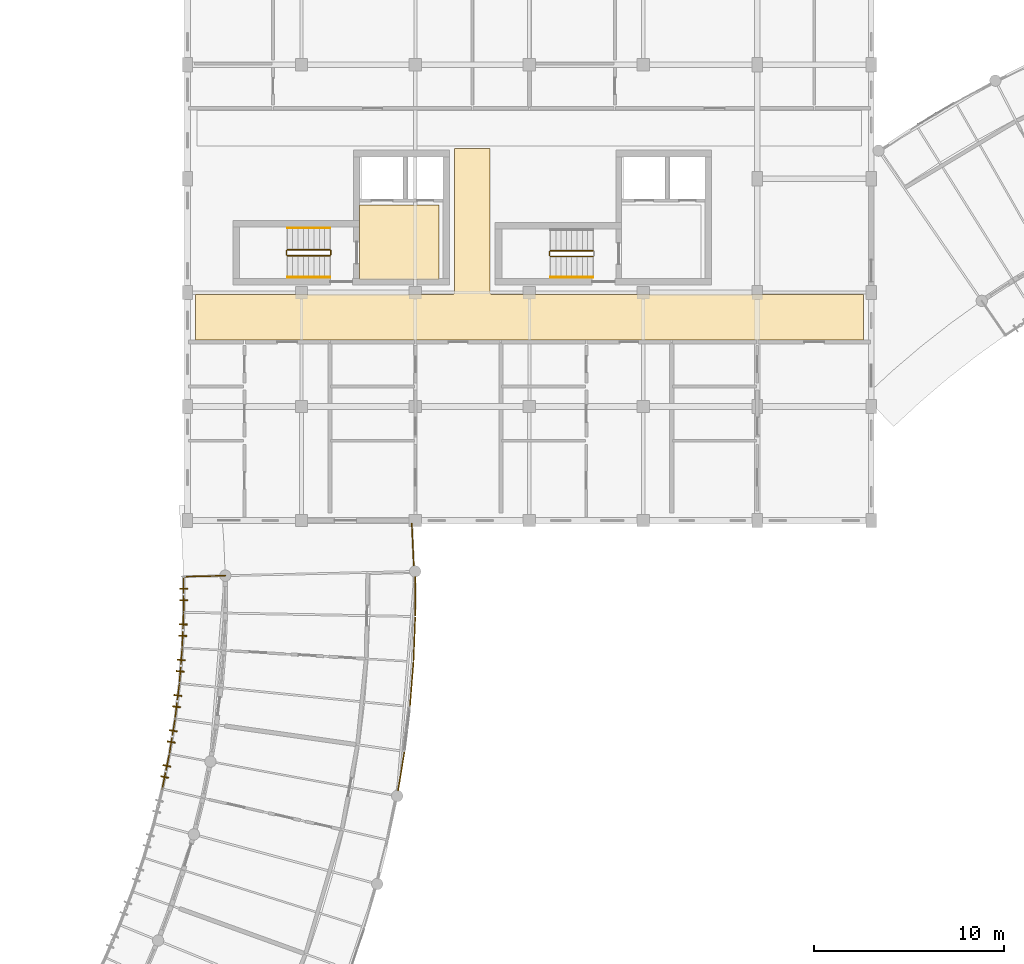
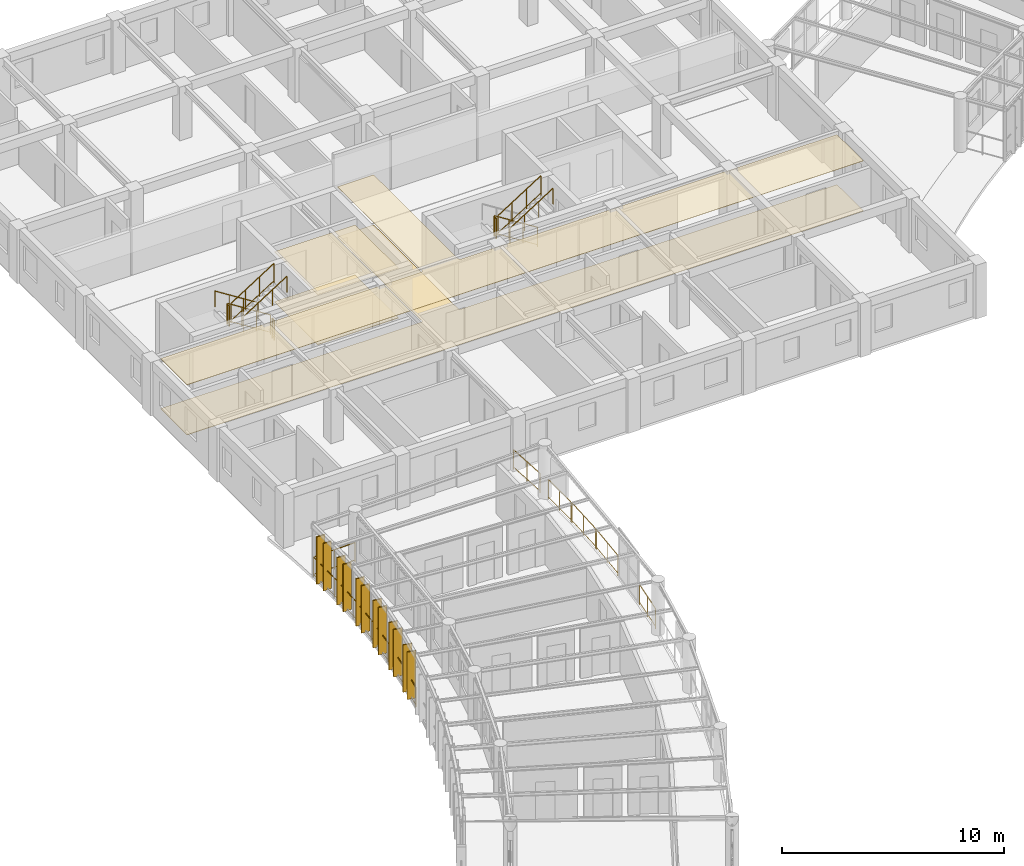
# One storey, part 94 of 100: 22 railings, 12 shading devices, 4 coverings.
"""IFC4 building model written with IfcOpenShell, lengths in metres."""

from ifc_helpers import new_model, si_unit, direction, frame, origin, origin_2d, place, context, subcontext, project, spatial, polyline, rectangle, circle, outline, extrude, material, layer, layer_set, type_object, element, save


model = new_model("IFC4")

# Units and contexts
model_context = context("Model", 3, precision=1e-05, world=origin(), true_north=direction((0.0, 1.0)))
body_context = subcontext(model_context, "Body", "Model", "MODEL_VIEW")
ifc_project = project(units=[si_unit("LENGTHUNIT", "METRE"), si_unit("AREAUNIT", "SQUARE_METRE"), si_unit("VOLUMEUNIT", "CUBIC_METRE"), si_unit("PLANEANGLEUNIT", "RADIAN"), si_unit("MASSUNIT", "GRAM", prefix="KILO"), si_unit("POWERUNIT", "WATT"), si_unit("THERMODYNAMICTEMPERATUREUNIT", "KELVIN")], contexts=[model_context])

# Site, building, storey
site_placement = place(None, origin())
site = spatial("IfcSite", under=ifc_project, at=site_placement, CompositionType="ELEMENT")
building_placement = place(site_placement, origin())
building = spatial("IfcBuilding", under=site, at=building_placement, Name="Ruvembo Vaulted Housing Court", CompositionType="ELEMENT")
storey_placement = place(building_placement, frame((0.0, 0.0, 14.10009765625)))
storey = spatial("IfcBuildingStorey", under=building, at=storey_placement, Name="L04", CompositionType="ELEMENT", Elevation=14.10009765625)

# Coverings
ifc_material_1 = material(Name="Perforated Mineral-Fibre Acoustic Tile", Category="gypsum")
ifc_layer_1 = layer(ifc_material_1, 0.02001953125, Name="Perforated Mineral-Fibre Acoustic Tile")
ifc_layer_set_1 = layer_set([ifc_layer_1], Name="Perforated Mineral-Fibre Acoustic Tile")
covering_type_1 = type_object("IfcCoveringType", Name="COV-CEIL-ACOUST", PredefinedType="CEILING", material=ifc_layer_set_1)
covering_1_placement = place(storey_placement, frame((0.0, 0.0, 2.75)))
element("IfcCovering", 1, at=covering_1_placement, inside=storey, type_object=covering_type_1, Name="Protected Core Lobby B1 Ceiling", PredefinedType="CEILING", context=body_context, shape_type="SweptSolid", body=[
    extrude(outline(polyline([(61.25, 94.60009765625), (57.050048828125, 94.60009765625), (57.050048828125, 90.699951171875), (61.25, 90.699951171875), (61.25, 94.60009765625)])), origin(), (0.0, 0.0, 1.0), 0.02001953125),
])
covering_2_placement = place(storey_placement, frame((0.0, 0.0, 2.75)))
element("IfcCovering", 2, at=covering_2_placement, inside=storey, type_object=covering_type_1, Name="Block B L04 Corridor Ceiling", PredefinedType="CEILING", context=body_context, shape_type="SweptSolid", body=[
    extrude(outline(polyline([(83.590087890625, 87.510009765625), (83.590087890625, 89.889892578125), (64.050048828125, 89.889892578125), (64.039306640625, 89.890380859375), (64.028564453125, 89.89208984375), (64.01806640625, 89.894775390625), (64.0078125, 89.8984375), (63.998046875, 89.903076171875), (63.989013671875, 89.908447265625), (63.980224609375, 89.9150390625), (63.97216796875, 89.922119140625), (63.965087890625, 89.93017578125), (63.95849609375, 89.93896484375), (63.952880859375, 89.947998046875), (63.948486328125, 89.9580078125), (63.944580078125, 89.968017578125), (63.942138671875, 89.978515625), (63.9404296875, 89.9892578125), (63.93994140625, 90.0), (63.93994140625, 97.590087890625), (62.06005859375, 97.590087890625), (62.06005859375, 90.0), (62.0595703125, 89.9892578125), (62.057861328125, 89.978515625), (62.055419921875, 89.968017578125), (62.051513671875, 89.9580078125), (62.047119140625, 89.947998046875), (62.04150390625, 89.93896484375), (62.034912109375, 89.93017578125), (62.02783203125, 89.922119140625), (62.019775390625, 89.9150390625), (62.010986328125, 89.908447265625), (62.001953125, 89.903076171875), (61.9921875, 89.8984375), (61.98193359375, 89.894775390625), (61.971435546875, 89.89208984375), (61.960693359375, 89.890380859375), (61.949951171875, 89.889892578125), (48.409912109375, 89.889892578125), (48.409912109375, 87.510009765625), (83.590087890625, 87.510009765625)])), origin(), (0.0, 0.0, 1.0), 0.02001953125),
])
ifc_material_2 = material(Name="Polished Cement-Aggregate Terrazzo", Category="stone")
ifc_layer_2 = layer(ifc_material_2, 0.02197265625, Name="Polished Cement-Aggregate Terrazzo")
ifc_layer_set_2 = layer_set([ifc_layer_2], Name="Polished Cement-Aggregate Terrazzo")
covering_type_2 = type_object("IfcCoveringType", Name="COV-FLR-CERAMIC", PredefinedType="FLOORING", material=ifc_layer_set_2)
covering_3_placement = place(storey_placement, origin())
element("IfcCovering", 3, at=covering_3_placement, inside=storey, type_object=covering_type_2, Name="Protected Core Lobby B1 Flooring", PredefinedType="FLOORING", context=body_context, shape_type="SweptSolid", body=[
    extrude(outline(polyline([(61.25, 94.60009765625), (57.050048828125, 94.60009765625), (57.050048828125, 90.699951171875), (61.25, 90.699951171875), (61.25, 94.60009765625)])), origin(), (0.0, 0.0, 1.0), 0.02197265625),
])
covering_4_placement = place(storey_placement, origin())
element("IfcCovering", 4, at=covering_4_placement, inside=storey, type_object=covering_type_2, Name="Block B L04 Corridor Flooring", PredefinedType="FLOORING", context=body_context, shape_type="SweptSolid", body=[
    extrude(outline(polyline([(83.590087890625, 87.510009765625), (83.590087890625, 89.889892578125), (64.050048828125, 89.889892578125), (64.039306640625, 89.890380859375), (64.028564453125, 89.89208984375), (64.01806640625, 89.894775390625), (64.0078125, 89.8984375), (63.998046875, 89.903076171875), (63.989013671875, 89.908447265625), (63.980224609375, 89.9150390625), (63.97216796875, 89.922119140625), (63.965087890625, 89.93017578125), (63.95849609375, 89.93896484375), (63.952880859375, 89.947998046875), (63.948486328125, 89.9580078125), (63.944580078125, 89.968017578125), (63.942138671875, 89.978515625), (63.9404296875, 89.9892578125), (63.93994140625, 90.0), (63.93994140625, 97.590087890625), (62.06005859375, 97.590087890625), (62.06005859375, 90.0), (62.0595703125, 89.9892578125), (62.057861328125, 89.978515625), (62.055419921875, 89.968017578125), (62.051513671875, 89.9580078125), (62.047119140625, 89.947998046875), (62.04150390625, 89.93896484375), (62.034912109375, 89.93017578125), (62.02783203125, 89.922119140625), (62.019775390625, 89.9150390625), (62.010986328125, 89.908447265625), (62.001953125, 89.903076171875), (61.9921875, 89.8984375), (61.98193359375, 89.894775390625), (61.971435546875, 89.89208984375), (61.960693359375, 89.890380859375), (61.949951171875, 89.889892578125), (48.409912109375, 89.889892578125), (48.409912109375, 87.510009765625), (83.590087890625, 87.510009765625)])), origin(), (0.0, 0.0, 1.0), 0.02197265625),
])

# Railings
ifc_material_3 = material(Name="Galvanised Painted Steel and Laminated Glass", Category="steel")
ifc_layer_3 = layer(ifc_material_3, 0.070068359375, Name="Galvanised Painted Steel and Laminated Glass")
ifc_layer_set_3 = layer_set([ifc_layer_3], Name="Galvanised Painted Steel and Laminated Glass")
railing_type_1 = type_object("IfcRailingType", Name="RL-BALUST-1120", PredefinedType="BALUSTRADE", material=ifc_layer_set_3)
railing_1_placement = place(storey_placement, frame((59.089111328125, 63.79150390625, 0.0)))
element("IfcRailing", 5, at=railing_1_placement, inside=storey, type_object=railing_type_1, Name="L04 Perimeter Guard RL-EXT-L04-0156", PredefinedType="BALUSTRADE", context=body_context, shape_type="SweptSolid", body=[
    extrude(circle(Radius=0.02392578125, at=origin_2d()), frame((0.0, 0.0, 1.09619140625), z_axis=(0.160959462917, 0.986961018125, 0.0), x_axis=(-0.986961018125, 0.160959462917, 0.0)), (0.0, 0.0, 1.0), 2.0263671875),
    extrude(circle(Radius=0.01806640625, at=origin_2d()), frame((0.0, 0.0, 0.1201171875), z_axis=(0.160959462917, 0.986961018125, 0.0), x_axis=(-0.986961018125, 0.160959462917, 0.0)), (0.0, 0.0, 1.0), 2.0263671875),
    extrude(circle(Radius=0.02099609375, at=origin_2d()), origin(), (0.0, 0.0, 1.0), 1.072021484375),
    extrude(circle(Radius=0.02099609375, at=origin_2d()), frame((0.1630859375, 1.0, 0.0)), (0.0, 0.0, 1.0), 1.072021484375),
    extrude(circle(Radius=0.02099609375, at=origin_2d()), frame((0.326171875, 2.0, 0.0)), (0.0, 0.0, 1.0), 1.072021484375),
])
railing_2_placement = place(storey_placement, frame((59.71337890625, 68.249755859375, 0.0)))
element("IfcRailing", 6, at=railing_2_placement, inside=storey, type_object=railing_type_1, Name="L04 Perimeter Guard RL-EXT-L04-0157", PredefinedType="BALUSTRADE", context=body_context, shape_type="SweptSolid", body=[
    extrude(circle(Radius=0.02392578125, at=origin_2d()), frame((0.0, 0.0, 1.09619140625), z_axis=(0.079459662102, 0.996838082187, 0.0), x_axis=(-0.996838082187, 0.079459662102, 0.0)), (0.0, 0.0, 1.0), 2.276611328125),
    extrude(circle(Radius=0.01806640625, at=origin_2d()), frame((0.0, 0.0, 0.1201171875), z_axis=(0.079459662102, 0.996838082187, 0.0), x_axis=(-0.996838082187, 0.079459662102, 0.0)), (0.0, 0.0, 1.0), 2.276611328125),
    extrude(circle(Radius=0.02099609375, at=origin_2d()), origin(), (0.0, 0.0, 1.0), 1.072021484375),
    extrude(circle(Radius=0.02099609375, at=origin_2d()), frame((0.09033203125, 1.134765625, 0.0)), (0.0, 0.0, 1.0), 1.072021484375),
    extrude(circle(Radius=0.02099609375, at=origin_2d()), frame((0.180908203125, 2.26953125, 0.0)), (0.0, 0.0, 1.0), 1.072021484375),
])
railing_3_placement = place(storey_placement, frame((59.900390625, 70.618896484375, 0.0)))
element("IfcRailing", 7, at=railing_3_placement, inside=storey, type_object=railing_type_1, Name="L04 Perimeter Guard RL-EXT-L04-0158", PredefinedType="BALUSTRADE", context=body_context, shape_type="SweptSolid", body=[
    extrude(circle(Radius=0.02392578125, at=origin_2d()), frame((0.0, 0.0, 1.09619140625), z_axis=(0.038713176798, 0.999250363994, 0.0), x_axis=(-0.999250363994, 0.038713176798, 0.0)), (0.0, 0.0, 1.0), 2.276611328125),
    extrude(circle(Radius=0.01806640625, at=origin_2d()), frame((0.0, 0.0, 0.1201171875), z_axis=(0.038713176798, 0.999250363994, 0.0), x_axis=(-0.999250363994, 0.038713176798, 0.0)), (0.0, 0.0, 1.0), 2.276611328125),
    extrude(circle(Radius=0.02099609375, at=origin_2d()), origin(), (0.0, 0.0, 1.0), 1.072021484375),
    extrude(circle(Radius=0.02099609375, at=origin_2d()), frame((0.0439453125, 1.137451171875, 0.0)), (0.0, 0.0, 1.0), 1.072021484375),
    extrude(circle(Radius=0.02099609375, at=origin_2d()), frame((0.088134765625, 2.27490234375, 0.0)), (0.0, 0.0, 1.0), 1.072021484375),
])
railing_4_placement = place(storey_placement, frame((59.990234375, 72.993896484375, 0.0)))
element("IfcRailing", 8, at=railing_4_placement, inside=storey, type_object=railing_type_1, Name="L04 Perimeter Guard RL-EXT-L04-0159", PredefinedType="BALUSTRADE", context=body_context, shape_type="SweptSolid", body=[
    extrude(circle(Radius=0.02392578125, at=origin_2d()), frame((0.0, 0.0, 1.09619140625), z_axis=(-0.002289150629, 0.999997379891, 0.0), x_axis=(-0.999997379891, -0.002289150629, 0.0)), (0.0, 0.0, 1.0), 2.0263671875),
    extrude(circle(Radius=0.01806640625, at=origin_2d()), frame((0.0, 0.0, 0.1201171875), z_axis=(-0.002289150629, 0.999997379891, 0.0), x_axis=(-0.999997379891, -0.002289150629, 0.0)), (0.0, 0.0, 1.0), 2.0263671875),
    extrude(circle(Radius=0.02099609375, at=origin_2d()), origin(), (0.0, 0.0, 1.0), 1.072021484375),
    extrude(circle(Radius=0.02099609375, at=origin_2d()), frame((-0.00244140625, 1.01318359375, 0.0)), (0.0, 0.0, 1.0), 1.072021484375),
    extrude(circle(Radius=0.02099609375, at=origin_2d()), frame((-0.004638671875, 2.0263671875, 0.0)), (0.0, 0.0, 1.0), 1.072021484375),
])
ifc_material_4 = material(Name="Galvanised Painted Steel S275", Category="steel")
ifc_layer_4 = layer(ifc_material_4, 0.06005859375, Name="Galvanised Painted Steel S275")
ifc_layer_set_4 = layer_set([ifc_layer_4], Name="Galvanised Painted Steel S275")
railing_type_2 = type_object("IfcRailingType", Name="RL-GUARD-1100", PredefinedType="GUARDRAIL", material=ifc_layer_set_4)
railing_5_placement = place(storey_placement, frame((46.664794921875, 63.86669921875, 0.0)))
element("IfcRailing", 9, at=railing_5_placement, inside=storey, type_object=railing_type_2, Name="L04 Perimeter Guard RL-EXT-L04-0138", PredefinedType="GUARDRAIL", context=body_context, shape_type="SweptSolid", body=[
    extrude(circle(Radius=0.02392578125, at=origin_2d()), frame((0.0, 0.0, 1.076171875), z_axis=(0.20126745828, 0.979536324103, 0.0), x_axis=(-0.979536324103, 0.20126745828, 0.0)), (0.0, 0.0, 1.0), 1.87646484375),
    extrude(circle(Radius=0.01806640625, at=origin_2d()), frame((0.0, 0.0, 0.1201171875), z_axis=(0.20126745828, 0.979536324103, 0.0), x_axis=(-0.979536324103, 0.20126745828, 0.0)), (0.0, 0.0, 1.0), 1.87646484375),
    extrude(circle(Radius=0.02099609375, at=origin_2d()), origin(), (0.0, 0.0, 1.0), 1.052001953125),
    extrude(circle(Radius=0.02099609375, at=origin_2d()), frame((0.18896484375, 0.9189453125, 0.0)), (0.0, 0.0, 1.0), 1.052001953125),
    extrude(circle(Radius=0.02099609375, at=origin_2d()), frame((0.377685546875, 1.838134765625, 0.0)), (0.0, 0.0, 1.0), 1.052001953125),
])
railing_6_placement = place(storey_placement, frame((47.04248046875, 65.704833984375, 0.0)))
element("IfcRailing", 10, at=railing_6_placement, inside=storey, type_object=railing_type_2, Name="L04 Perimeter Guard RL-EXT-L04-0139", PredefinedType="GUARDRAIL", context=body_context, shape_type="SweptSolid", body=[
    extrude(circle(Radius=0.02392578125, at=origin_2d()), frame((0.0, 0.0, 1.076171875), z_axis=(0.16093792822, 0.98696452989, 0.0), x_axis=(-0.98696452989, 0.16093792822, 0.0)), (0.0, 0.0, 1.0), 1.87646484375),
    extrude(circle(Radius=0.01806640625, at=origin_2d()), frame((0.0, 0.0, 0.1201171875), z_axis=(0.16093792822, 0.98696452989, 0.0), x_axis=(-0.98696452989, 0.16093792822, 0.0)), (0.0, 0.0, 1.0), 1.87646484375),
    extrude(circle(Radius=0.02099609375, at=origin_2d()), origin(), (0.0, 0.0, 1.0), 1.052001953125),
    extrude(circle(Radius=0.02099609375, at=origin_2d()), frame((0.15087890625, 0.926025390625, 0.0)), (0.0, 0.0, 1.0), 1.052001953125),
    extrude(circle(Radius=0.02099609375, at=origin_2d()), frame((0.302001953125, 1.85205078125, 0.0)), (0.0, 0.0, 1.0), 1.052001953125),
])
railing_7_placement = place(storey_placement, frame((47.344482421875, 67.556884765625, 0.0)))
element("IfcRailing", 11, at=railing_7_placement, inside=storey, type_object=railing_type_2, Name="L04 Perimeter Guard RL-EXT-L04-0140", PredefinedType="GUARDRAIL", context=body_context, shape_type="SweptSolid", body=[
    extrude(circle(Radius=0.02392578125, at=origin_2d()), frame((0.0, 0.0, 1.076171875), z_axis=(0.120335252624, 0.992733311104, 0.0), x_axis=(-0.992733311104, 0.120335252624, 0.0)), (0.0, 0.0, 1.0), 1.876708984375),
    extrude(circle(Radius=0.01806640625, at=origin_2d()), frame((0.0, 0.0, 0.1201171875), z_axis=(0.120335252624, 0.992733311104, 0.0), x_axis=(-0.992733311104, 0.120335252624, 0.0)), (0.0, 0.0, 1.0), 1.876708984375),
    extrude(circle(Radius=0.02099609375, at=origin_2d()), origin(), (0.0, 0.0, 1.0), 1.052001953125),
    extrude(circle(Radius=0.02099609375, at=origin_2d()), frame((0.11279296875, 0.931640625, 0.0)), (0.0, 0.0, 1.0), 1.052001953125),
    extrude(circle(Radius=0.02099609375, at=origin_2d()), frame((0.225830078125, 1.863037109375, 0.0)), (0.0, 0.0, 1.0), 1.052001953125),
])
railing_8_placement = place(storey_placement, frame((47.5703125, 69.419921875, 0.0)))
element("IfcRailing", 12, at=railing_8_placement, inside=storey, type_object=railing_type_2, Name="L04 Perimeter Guard RL-EXT-L04-0141", PredefinedType="GUARDRAIL", context=body_context, shape_type="SweptSolid", body=[
    extrude(circle(Radius=0.02392578125, at=origin_2d()), frame((0.0, 0.0, 1.076171875), z_axis=(0.079610795565, 0.996826023552, 0.0), x_axis=(-0.996826023552, 0.079610795565, 0.0)), (0.0, 0.0, 1.0), 1.876708984375),
    extrude(circle(Radius=0.01806640625, at=origin_2d()), frame((0.0, 0.0, 0.1201171875), z_axis=(0.079610795565, 0.996826023552, 0.0), x_axis=(-0.996826023552, 0.079610795565, 0.0)), (0.0, 0.0, 1.0), 1.876708984375),
    extrude(circle(Radius=0.02099609375, at=origin_2d()), origin(), (0.0, 0.0, 1.0), 1.052001953125),
    extrude(circle(Radius=0.02099609375, at=origin_2d()), frame((0.07470703125, 0.935546875, 0.0)), (0.0, 0.0, 1.0), 1.052001953125),
    extrude(circle(Radius=0.02099609375, at=origin_2d()), frame((0.1494140625, 1.870849609375, 0.0)), (0.0, 0.0, 1.0), 1.052001953125),
])
railing_9_placement = place(storey_placement, frame((47.7197265625, 71.290771484375, 0.0)))
element("IfcRailing", 13, at=railing_9_placement, inside=storey, type_object=railing_type_2, Name="L04 Perimeter Guard RL-EXT-L04-0142", PredefinedType="GUARDRAIL", context=body_context, shape_type="SweptSolid", body=[
    extrude(circle(Radius=0.02392578125, at=origin_2d()), frame((0.0, 0.0, 1.076171875), z_axis=(0.038767865725, 0.999248243725, 0.0), x_axis=(-0.999248243725, 0.038767865725, 0.0)), (0.0, 0.0, 1.0), 1.876708984375),
    extrude(circle(Radius=0.01806640625, at=origin_2d()), frame((0.0, 0.0, 0.1201171875), z_axis=(0.038767865725, 0.999248243725, 0.0), x_axis=(-0.999248243725, 0.038767865725, 0.0)), (0.0, 0.0, 1.0), 1.876708984375),
    extrude(circle(Radius=0.02099609375, at=origin_2d()), origin(), (0.0, 0.0, 1.0), 1.052001953125),
    extrude(circle(Radius=0.02099609375, at=origin_2d()), frame((0.036376953125, 0.9375, 0.0)), (0.0, 0.0, 1.0), 1.052001953125),
    extrude(circle(Radius=0.02099609375, at=origin_2d()), frame((0.07275390625, 1.875244140625, 0.0)), (0.0, 0.0, 1.0), 1.052001953125),
])
railing_10_placement = place(storey_placement, frame((47.79248046875, 73.166015625, 0.0)))
element("IfcRailing", 14, at=railing_10_placement, inside=storey, type_object=railing_type_2, Name="L04 Perimeter Guard RL-EXT-L04-0143", PredefinedType="GUARDRAIL", context=body_context, shape_type="SweptSolid", body=[
    extrude(circle(Radius=0.02392578125, at=origin_2d()), frame((0.0, 0.0, 1.076171875), z_axis=(-0.002341913952, 0.999997257716, 0.0), x_axis=(-0.999997257716, -0.002341913952, 0.0)), (0.0, 0.0, 1.0), 1.87646484375),
    extrude(circle(Radius=0.01806640625, at=origin_2d()), frame((0.0, 0.0, 0.1201171875), z_axis=(-0.002341913952, 0.999997257716, 0.0), x_axis=(-0.999997257716, -0.002341913952, 0.0)), (0.0, 0.0, 1.0), 1.87646484375),
    extrude(circle(Radius=0.02099609375, at=origin_2d()), origin(), (0.0, 0.0, 1.0), 1.052001953125),
    extrude(circle(Radius=0.02099609375, at=origin_2d()), frame((-0.002197265625, 0.938232421875, 0.0)), (0.0, 0.0, 1.0), 1.052001953125),
    extrude(circle(Radius=0.02099609375, at=origin_2d()), frame((-0.00439453125, 1.87646484375, 0.0)), (0.0, 0.0, 1.0), 1.052001953125),
])
railing_11_placement = place(storey_placement, frame((47.7880859375, 75.04248046875, 0.0)))
element("IfcRailing", 15, at=railing_11_placement, inside=storey, type_object=railing_type_2, Name="L04 Perimeter Guard RL-EXT-L04-0144", PredefinedType="GUARDRAIL", context=body_context, shape_type="SweptSolid", body=[
    extrude(circle(Radius=0.02392578125, at=origin_2d()), frame((0.0, 0.0, 1.076171875), z_axis=(0.999741204967, 0.022749133868, 0.0), x_axis=(-0.022749133868, 0.999741204967, 0.0)), (0.0, 0.0, 1.0), 2.199951171875),
    extrude(circle(Radius=0.01806640625, at=origin_2d()), frame((0.0, 0.0, 0.1201171875), z_axis=(0.999741204967, 0.022749133868, 0.0), x_axis=(-0.022749133868, 0.999741204967, 0.0)), (0.0, 0.0, 1.0), 2.199951171875),
    extrude(circle(Radius=0.02099609375, at=origin_2d()), origin(), (0.0, 0.0, 1.0), 1.052001953125),
    extrude(circle(Radius=0.02099609375, at=origin_2d()), frame((1.099609375, 0.02490234375, 0.0)), (0.0, 0.0, 1.0), 1.052001953125),
    extrude(circle(Radius=0.02099609375, at=origin_2d()), frame((2.199462890625, 0.050048828125, 0.0)), (0.0, 0.0, 1.0), 1.052001953125),
])
railing_12_placement = place(storey_placement, frame((59.810302734375, 77.83251953125, 0.0)))
element("IfcRailing", 16, at=railing_12_placement, inside=storey, type_object=railing_type_2, Name="L04 Perimeter Guard RL-EXT-L04-0899", PredefinedType="GUARDRAIL", context=body_context, shape_type="SweptSolid", body=[
    extrude(circle(Radius=0.02392578125, at=origin_2d()), frame((0.0, 0.0, 1.076171875), z_axis=(0.045976897872, -0.998942503281, 0.0), x_axis=(0.998942503281, 0.045976897872, 0.0)), (0.0, 0.0, 1.0), 2.198486328125),
    extrude(circle(Radius=0.01806640625, at=origin_2d()), frame((0.0, 0.0, 0.1201171875), z_axis=(0.045976897872, -0.998942503281, 0.0), x_axis=(0.998942503281, 0.045976897872, 0.0)), (0.0, 0.0, 1.0), 2.198486328125),
    extrude(circle(Radius=0.02099609375, at=origin_2d()), origin(), (0.0, 0.0, 1.0), 1.052001953125),
    extrude(circle(Radius=0.02099609375, at=origin_2d()), frame((0.050537109375, -1.09814453125, 0.0)), (0.0, 0.0, 1.0), 1.052001953125),
    extrude(circle(Radius=0.02099609375, at=origin_2d()), frame((0.10107421875, -2.196044921875, 0.0)), (0.0, 0.0, 1.0), 1.052001953125),
])
ifc_material_5 = material(Name="Painted Galvanised Steel S275", Category="steel")
ifc_layer_5 = layer(ifc_material_5, 0.06005859375, Name="Painted Galvanised Steel S275")
ifc_layer_set_5 = layer_set([ifc_layer_5], Name="Painted Galvanised Steel S275")
railing_type_3 = type_object("IfcRailingType", Name="RL-STAIR-GR1100", PredefinedType="GUARDRAIL", material=ifc_layer_set_5)
railing_13_placement = place(storey_placement, frame((55.5, 92.25, 0.177734375)))
element("IfcRailing", 17, at=railing_13_placement, inside=storey, type_object=railing_type_3, Name="L04 ST-B1 stair guard 1", PredefinedType="GUARDRAIL", context=body_context, shape_type="SweptSolid", body=[
    extrude(circle(Radius=0.02392578125, at=origin_2d()), frame((0.0, 0.0, 1.076171875), z_axis=(-0.8442293374, 0.0, 0.53598211339), x_axis=(0.0, -1.0, 0.0)), (0.0, 0.0, 1.0), 2.6533203125),
    extrude(circle(Radius=0.01806640625, at=origin_2d()), frame((0.0, 0.0, 0.1201171875), z_axis=(-0.8442293374, 0.0, 0.53598211339), x_axis=(0.0, -1.0, 0.0)), (0.0, 0.0, 1.0), 2.6533203125),
    extrude(circle(Radius=0.02099609375, at=origin_2d()), origin(), (0.0, 0.0, 1.0), 1.052001953125),
    extrude(circle(Radius=0.02099609375, at=origin_2d()), frame((-0.74658203125, 0.0, 0.47412109375)), (0.0, 0.0, 1.0), 1.052001953125),
    extrude(circle(Radius=0.02099609375, at=origin_2d()), frame((-1.493408203125, 0.0, 0.947998046875)), (0.0, 0.0, 1.0), 1.052001953125),
    extrude(circle(Radius=0.02099609375, at=origin_2d()), frame((-2.239990234375, 0.0, 1.422119140625)), (0.0, 0.0, 1.0), 1.052001953125),
])
railing_14_placement = place(storey_placement, frame((53.2099609375, 92.199951171875, 1.599853515625)))
element("IfcRailing", 18, at=railing_14_placement, inside=storey, type_object=railing_type_3, Name="L04 ST-B1 stair guard 2", PredefinedType="GUARDRAIL", context=body_context, shape_type="SweptSolid", body=[
    extrude(circle(Radius=0.02392578125, at=origin_2d()), frame((0.0, 0.0, 1.076171875), z_axis=(0.0, -1.0, 0.0), x_axis=(1.0, 0.0, 0.0)), (0.0, 0.0, 1.0), 0.199951171875),
    extrude(circle(Radius=0.01806640625, at=origin_2d()), frame((0.0, 0.0, 0.1201171875), z_axis=(0.0, -1.0, 0.0), x_axis=(1.0, 0.0, 0.0)), (0.0, 0.0, 1.0), 0.199951171875),
    extrude(circle(Radius=0.02099609375, at=origin_2d()), origin(), (0.0, 0.0, 1.0), 1.052001953125),
    extrude(circle(Radius=0.02099609375, at=origin_2d()), frame((0.0, -0.199951171875, 0.0)), (0.0, 0.0, 1.0), 1.052001953125),
])
railing_15_placement = place(storey_placement, frame((53.260009765625, 91.949951171875, 1.777587890625)))
element("IfcRailing", 19, at=railing_15_placement, inside=storey, type_object=railing_type_3, Name="L04 ST-B1 stair guard 3", PredefinedType="GUARDRAIL", context=body_context, shape_type="SweptSolid", body=[
    extrude(circle(Radius=0.02392578125, at=origin_2d()), frame((0.0, 0.0, 1.076171875), z_axis=(0.84418770128, 0.0, 0.536047689118), x_axis=(0.0, 1.0, 0.0)), (0.0, 0.0, 1.0), 2.6533203125),
    extrude(circle(Radius=0.01806640625, at=origin_2d()), frame((0.0, 0.0, 0.1201171875), z_axis=(0.84418770128, 0.0, 0.536047689118), x_axis=(0.0, 1.0, 0.0)), (0.0, 0.0, 1.0), 2.6533203125),
    extrude(circle(Radius=0.02099609375, at=origin_2d()), origin(), (0.0, 0.0, 1.0), 1.052001953125),
    extrude(circle(Radius=0.02099609375, at=origin_2d()), frame((0.74658203125, 0.0, 0.47412109375)), (0.0, 0.0, 1.0), 1.052001953125),
    extrude(circle(Radius=0.02099609375, at=origin_2d()), frame((1.493408203125, 0.0, 0.9482421875)), (0.0, 0.0, 1.0), 1.052001953125),
    extrude(circle(Radius=0.02099609375, at=origin_2d()), frame((2.239990234375, 0.0, 1.42236328125)), (0.0, 0.0, 1.0), 1.052001953125),
])
railing_16_placement = place(storey_placement, frame((55.550048828125, 92.199951171875, 0.0)))
element("IfcRailing", 20, at=railing_16_placement, inside=storey, type_object=railing_type_3, Name="L04 ST-B1 stair guard 4", PredefinedType="GUARDRAIL", context=body_context, shape_type="SweptSolid", body=[
    extrude(circle(Radius=0.02392578125, at=origin_2d()), frame((0.0, 0.0, 1.076171875), z_axis=(0.0, -1.0, 0.0), x_axis=(1.0, 0.0, 0.0)), (0.0, 0.0, 1.0), 0.199951171875),
    extrude(circle(Radius=0.01806640625, at=origin_2d()), frame((0.0, 0.0, 0.1201171875), z_axis=(0.0, -1.0, 0.0), x_axis=(1.0, 0.0, 0.0)), (0.0, 0.0, 1.0), 0.199951171875),
    extrude(circle(Radius=0.02099609375, at=origin_2d()), origin(), (0.0, 0.0, 1.0), 1.052001953125),
    extrude(circle(Radius=0.02099609375, at=origin_2d()), frame((0.0, -0.199951171875, 0.0)), (0.0, 0.0, 1.0), 1.052001953125),
])
railing_17_placement = place(storey_placement, frame((69.35009765625, 92.199951171875, 0.177734375)))
element("IfcRailing", 21, at=railing_17_placement, inside=storey, type_object=railing_type_3, Name="L04 ST-B2 stair guard 1", PredefinedType="GUARDRAIL", context=body_context, shape_type="SweptSolid", body=[
    extrude(circle(Radius=0.02392578125, at=origin_2d()), frame((0.0, 0.0, 1.076171875), z_axis=(-0.8442293374, 0.0, 0.53598211339), x_axis=(0.0, -1.0, 0.0)), (0.0, 0.0, 1.0), 2.6533203125),
    extrude(circle(Radius=0.01806640625, at=origin_2d()), frame((0.0, 0.0, 0.1201171875), z_axis=(-0.8442293374, 0.0, 0.53598211339), x_axis=(0.0, -1.0, 0.0)), (0.0, 0.0, 1.0), 2.6533203125),
    extrude(circle(Radius=0.02099609375, at=origin_2d()), origin(), (0.0, 0.0, 1.0), 1.052001953125),
    extrude(circle(Radius=0.02099609375, at=origin_2d()), frame((-0.74658203125, 0.0, 0.47412109375)), (0.0, 0.0, 1.0), 1.052001953125),
    extrude(circle(Radius=0.02099609375, at=origin_2d()), frame((-1.493408203125, 0.0, 0.947998046875)), (0.0, 0.0, 1.0), 1.052001953125),
    extrude(circle(Radius=0.02099609375, at=origin_2d()), frame((-2.239990234375, 0.0, 1.422119140625)), (0.0, 0.0, 1.0), 1.052001953125),
])
railing_18_placement = place(storey_placement, frame((67.06005859375, 92.14990234375, 1.599853515625)))
element("IfcRailing", 22, at=railing_18_placement, inside=storey, type_object=railing_type_3, Name="L04 ST-B2 stair guard 2", PredefinedType="GUARDRAIL", context=body_context, shape_type="SweptSolid", body=[
    extrude(circle(Radius=0.02392578125, at=origin_2d()), frame((0.0, 0.0, 1.076171875), z_axis=(0.0, -1.0, 0.0), x_axis=(1.0, 0.0, 0.0)), (0.0, 0.0, 1.0), 0.199951171875),
    extrude(circle(Radius=0.01806640625, at=origin_2d()), frame((0.0, 0.0, 0.1201171875), z_axis=(0.0, -1.0, 0.0), x_axis=(1.0, 0.0, 0.0)), (0.0, 0.0, 1.0), 0.199951171875),
    extrude(circle(Radius=0.02099609375, at=origin_2d()), origin(), (0.0, 0.0, 1.0), 1.052001953125),
    extrude(circle(Radius=0.02099609375, at=origin_2d()), frame((0.0, -0.199951171875, 0.0)), (0.0, 0.0, 1.0), 1.052001953125),
])
railing_19_placement = place(storey_placement, frame((67.110107421875, 91.89990234375, 1.777587890625)))
element("IfcRailing", 23, at=railing_19_placement, inside=storey, type_object=railing_type_3, Name="L04 ST-B2 stair guard 3", PredefinedType="GUARDRAIL", context=body_context, shape_type="SweptSolid", body=[
    extrude(circle(Radius=0.02392578125, at=origin_2d()), frame((0.0, 0.0, 1.076171875), z_axis=(0.84418770128, 0.0, 0.536047689118), x_axis=(0.0, 1.0, 0.0)), (0.0, 0.0, 1.0), 2.6533203125),
    extrude(circle(Radius=0.01806640625, at=origin_2d()), frame((0.0, 0.0, 0.1201171875), z_axis=(0.84418770128, 0.0, 0.536047689118), x_axis=(0.0, 1.0, 0.0)), (0.0, 0.0, 1.0), 2.6533203125),
    extrude(circle(Radius=0.02099609375, at=origin_2d()), origin(), (0.0, 0.0, 1.0), 1.052001953125),
    extrude(circle(Radius=0.02099609375, at=origin_2d()), frame((0.74658203125, 0.0, 0.47412109375)), (0.0, 0.0, 1.0), 1.052001953125),
    extrude(circle(Radius=0.02099609375, at=origin_2d()), frame((1.493408203125, 0.0, 0.9482421875)), (0.0, 0.0, 1.0), 1.052001953125),
    extrude(circle(Radius=0.02099609375, at=origin_2d()), frame((2.239990234375, 0.0, 1.42236328125)), (0.0, 0.0, 1.0), 1.052001953125),
])
ifc_material_6 = material(Name="Brushed Stainless Steel 304", Category="steel")
ifc_layer_6 = layer(ifc_material_6, 0.050048828125, Name="Brushed Stainless Steel 304")
ifc_layer_set_6 = layer_set([ifc_layer_6], Name="Brushed Stainless Steel 304")
railing_type_4 = type_object("IfcRailingType", Name="RL-STAIR-HR920", PredefinedType="HANDRAIL", material=ifc_layer_set_6)
railing_20_placement = place(storey_placement, frame((55.5, 93.39990234375, 0.359130859375)))
element("IfcRailing", 24, at=railing_20_placement, inside=storey, type_object=railing_type_4, Name="L04 ST-B1 stair handrail 1", PredefinedType="HANDRAIL", context=body_context, shape_type="SweptSolid", body=[
    extrude(circle(Radius=0.02392578125, at=origin_2d()), frame((0.0, 0.0, 0.8759765625), z_axis=(-0.84418770128, 0.0, 0.536047689118), x_axis=(0.0, -1.0, 0.0)), (0.0, 0.0, 1.0), 2.6533203125),
    extrude(circle(Radius=0.02099609375, at=origin_2d()), origin(), (0.0, 0.0, 1.0), 0.851806640625),
    extrude(circle(Radius=0.02099609375, at=origin_2d()), frame((-0.74658203125, 0.0, 0.47412109375)), (0.0, 0.0, 1.0), 0.851806640625),
    extrude(circle(Radius=0.02099609375, at=origin_2d()), frame((-1.493408203125, 0.0, 0.9482421875)), (0.0, 0.0, 1.0), 0.851806640625),
    extrude(circle(Radius=0.02099609375, at=origin_2d()), frame((-2.239990234375, 0.0, 1.42236328125)), (0.0, 0.0, 1.0), 0.851806640625),
])
for number, where, name in (
    (25, (53.260009765625, 90.800048828125, 1.959228515625), "L04 ST-B1 stair handrail 2"),
    (26, (67.110107421875, 90.800048828125, 1.959228515625), "L04 ST-B2 stair handrail 2"),
):
    element("IfcRailing", number, at=place(storey_placement, frame(where)), inside=storey, type_object=railing_type_4, Name=name, PredefinedType="HANDRAIL", context=body_context, shape_type="SweptSolid", body=[
        extrude(circle(Radius=0.02392578125, at=origin_2d()), frame((0.0, 0.0, 0.8759765625), z_axis=(0.8442293374, 0.0, 0.53598211339), x_axis=(0.0, 1.0, 0.0)), (0.0, 0.0, 1.0), 2.6533203125),
        extrude(circle(Radius=0.02099609375, at=origin_2d()), origin(), (0.0, 0.0, 1.0), 0.851806640625),
        extrude(circle(Radius=0.02099609375, at=origin_2d()), frame((0.74658203125, 0.0, 0.47412109375)), (0.0, 0.0, 1.0), 0.851806640625),
        extrude(circle(Radius=0.02099609375, at=origin_2d()), frame((1.493408203125, 0.0, 0.947998046875)), (0.0, 0.0, 1.0), 0.851806640625),
        extrude(circle(Radius=0.02099609375, at=origin_2d()), frame((2.239990234375, 0.0, 1.422119140625)), (0.0, 0.0, 1.0), 0.851806640625),
    ])

# Shading devices
ifc_material_7 = material(Name="Kiln-Fired Terracotta Extrusion", Category="masonry")
shading_device_type = type_object("IfcShadingDeviceType", Name="SHD-FIN-420", PredefinedType="USERDEFINED", material=ifc_material_7)
for number, where, z_axis, x_axis, name in (
    (27, (46.793212890625, 64.491943359375, 0.0498046875), (0.0, 0.0, 1.0), (0.979547164277, -0.201214693692, 0.0), "Terracotta Brise-Soleil Fin #141"),
    (28, (46.9140625, 65.07958984375, 0.0498046875), (0.0, 0.0, 1.0), (0.979547164277, -0.201214693692, 0.0), "Terracotta Brise-Soleil Fin #142"),
    (29, (47.145263671875, 66.3349609375, 0.0498046875), (0.0, 0.0, 1.0), (0.986957060278, -0.160983729511, 0.0), "Terracotta Brise-Soleil Fin #143"),
    (30, (47.24169921875, 66.927001953125, 0.0498046875), (0.0, 0.0, 1.0), (0.986957060278, -0.160983729511, 0.0), "Terracotta Brise-Soleil Fin #144"),
    (31, (47.42138671875, 68.190673828125, 0.0498046875), (0.0, 0.0, 1.0), (0.992734259016, -0.120327432347, 0.0), "Terracotta Brise-Soleil Fin #145"),
    (32, (47.49365234375, 68.786376953125, 0.0498046875), (0.0, 0.0, 1.0), (0.992734259016, -0.120327432347, 0.0), "Terracotta Brise-Soleil Fin #146"),
    (33, (47.62109375, 70.056396484375, 0.0498046875), (0.0, 0.0, 1.0), (0.996826293951, -0.079607409749, 0.0), "Terracotta Brise-Soleil Fin #147"),
    (34, (47.6689453125, 70.654296875, 0.0498046875), (0.0, 0.0, 1.0), (0.996826293951, -0.079607409749, 0.0), "Terracotta Brise-Soleil Fin #148"),
    (35, (47.744384765625, 71.928466796875, 0.0498046875), (0.0, 0.0, 1.0), (0.999251482534, -0.038684294669, 0.0), "Terracotta Brise-Soleil Fin #149"),
    (36, (47.767578125, 72.528076171875, 0.0498046875), (0.0, 0.0, 1.0), (0.999251482534, -0.038684294669, 0.0), "Terracotta Brise-Soleil Fin #150"),
    (37, (47.791015625, 73.80419921875, 0.0498046875), (0.0, 0.0, 1.0), (0.999997386231, 0.002286379328, 0.0), "Terracotta Brise-Soleil Fin #151"),
    (38, (47.78955078125, 74.404296875, 0.0498046875), (0.0, 0.0, 1.0), (0.999997386231, 0.002286379328, 0.0), "Terracotta Brise-Soleil Fin #152"),
):
    element("IfcShadingDevice", number, at=place(storey_placement, frame(where, z_axis=z_axis, x_axis=x_axis)), inside=storey, type_object=shading_device_type, Name=name, ObjectType="FIN", PredefinedType="USERDEFINED", context=body_context, shape_type="SweptSolid", body=[
        extrude(rectangle(XDim=0.419921875, YDim=0.06494140625, at=origin_2d()), origin(), (0.0, 0.0, 1.0), 2.60302734375),
    ])

save(model, "model.ifc")
